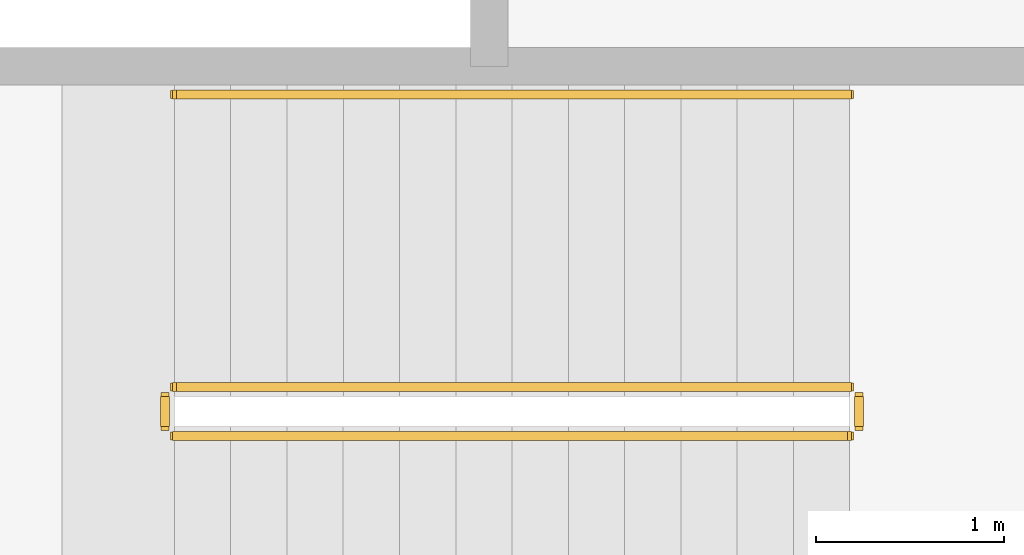
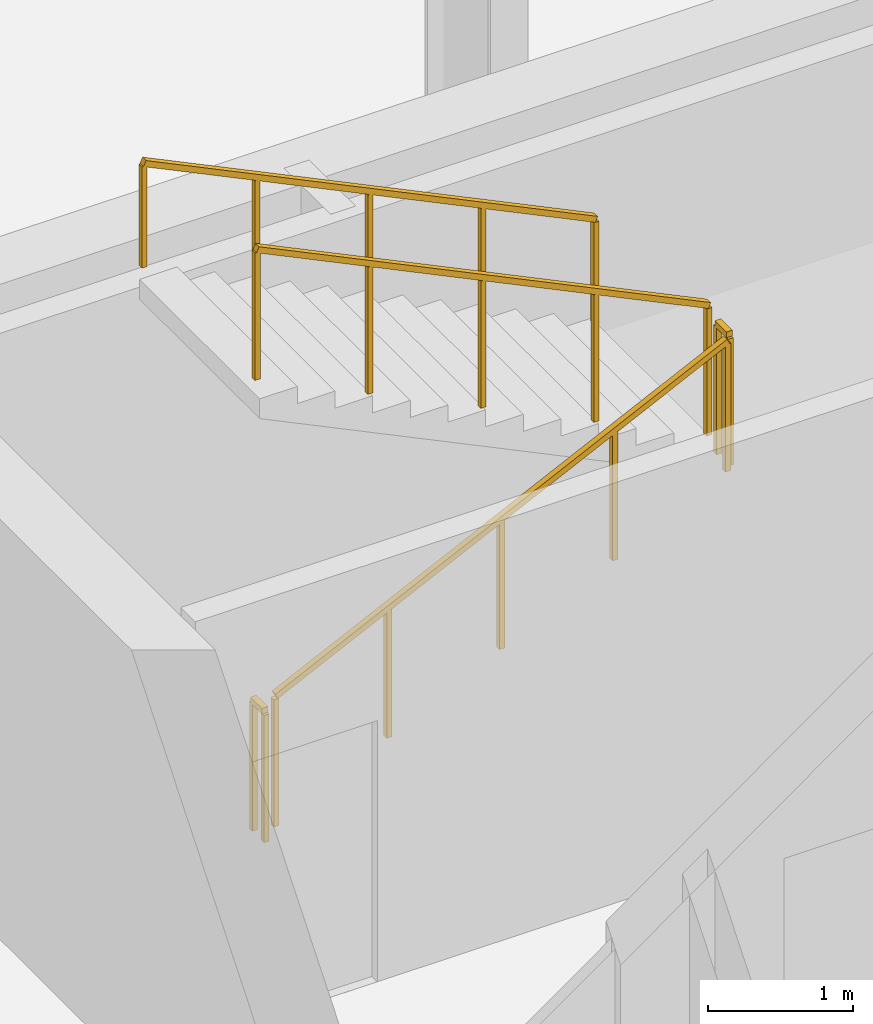
# One storey, part 24 of 25: 5 railings.
"""IFC4 building model written with IfcOpenShell, lengths in metres."""

from ifc_helpers import new_model, si_unit, direction, frame, origin, origin_2d, place, context, subcontext, project, spatial, rectangle, extrude, material, type_object, element, save


model = new_model("IFC4")

# Units and contexts
model_context = context("Model", 3, precision=1e-05, world=origin(), true_north=direction((0.0, 1.0)))
body_context = subcontext(model_context, "Body", "Model", "MODEL_VIEW")
ifc_project = project(units=[si_unit("LENGTHUNIT", "METRE"), si_unit("AREAUNIT", "SQUARE_METRE"), si_unit("VOLUMEUNIT", "CUBIC_METRE"), si_unit("PLANEANGLEUNIT", "RADIAN"), si_unit("MASSUNIT", "GRAM", prefix="KILO"), si_unit("THERMODYNAMICTEMPERATUREUNIT", "KELVIN"), si_unit("POWERUNIT", "WATT")], contexts=[model_context])

# Site, building, storey
site_placement = place(None, origin())
site = spatial("IfcSite", under=ifc_project, at=site_placement, CompositionType="ELEMENT")
building_placement = place(site_placement, origin())
building = spatial("IfcBuilding", under=site, at=building_placement, Name="Svarakhadi Broadcast Tower", CompositionType="ELEMENT")
storey_placement = place(building_placement, frame((0.0, 0.0, 216.14990234375)))
storey = spatial("IfcBuildingStorey", under=building, at=storey_placement, Name="L53", CompositionType="ELEMENT", Elevation=216.14990234375)

# Railings
ifc_material = material(Name="Anodised Bronze Aluminium AA 6063-T6", Category="aluminium")
railing_type_1 = type_object("IfcRailingType", Name="Guard_Stair_GR01", PredefinedType="GUARDRAIL", material=ifc_material)
railing_1_placement = place(storey_placement, frame((7.97998046875, 24.969970703125, 0.144287109375)))
element("IfcRailing", 1, at=railing_1_placement, inside=storey, type_object=railing_type_1, Name="L53 ST-01 stair guard 1", PredefinedType="GUARDRAIL", context=body_context, shape_type="SweptSolid", body=[
    extrude(rectangle(XDim=0.048095703125, YDim=0.048095703125, at=origin_2d()), frame((0.0, 0.0, 1.09619140625), z_axis=(0.901262522062, 0.0, 0.433273431364), x_axis=(0.0, 1.0, 0.0)), (0.0, 0.0, 1.0), 3.994384765625),
    extrude(rectangle(XDim=0.0419921875, YDim=0.0419921875, at=origin_2d()), origin(), (0.0, 0.0, 1.0), 1.072021484375),
    extrude(rectangle(XDim=0.0419921875, YDim=0.0419921875, at=origin_2d()), frame((0.89990234375, 0.0, 0.4326171875)), (0.0, 0.0, 1.0), 1.072021484375),
    extrude(rectangle(XDim=0.0419921875, YDim=0.0419921875, at=origin_2d()), frame((1.800048828125, 0.0, 0.865234375)), (0.0, 0.0, 1.0), 1.072021484375),
    extrude(rectangle(XDim=0.0419921875, YDim=0.0419921875, at=origin_2d()), frame((2.7001953125, 0.0, 1.298095703125)), (0.0, 0.0, 1.0), 1.072021484375),
    extrude(rectangle(XDim=0.0419921875, YDim=0.0419921875, at=origin_2d()), frame((3.60009765625, 0.0, 1.730712890625)), (0.0, 0.0, 1.0), 1.072021484375),
])
railing_2_placement = place(storey_placement, frame((11.6298828125, 25.02001953125, 1.875)))
element("IfcRailing", 2, at=railing_2_placement, inside=storey, type_object=railing_type_1, Name="L53 ST-01 stair guard 2", PredefinedType="GUARDRAIL", context=body_context, shape_type="SweptSolid", body=[
    extrude(rectangle(XDim=0.048095703125, YDim=0.048095703125, at=origin_2d()), frame((0.0, 0.0, 1.09619140625), z_axis=(0.0, 1.0, 0.0), x_axis=(-1.0, 0.0, 0.0)), (0.0, 0.0, 1.0), 0.159912109375),
    extrude(rectangle(XDim=0.0419921875, YDim=0.0419921875, at=origin_2d()), origin(), (0.0, 0.0, 1.0), 1.072021484375),
    extrude(rectangle(XDim=0.0419921875, YDim=0.0419921875, at=origin_2d()), frame((0.0, 0.159912109375, 0.0)), (0.0, 0.0, 1.0), 1.072021484375),
])
railing_3_placement = place(storey_placement, frame((11.580078125, 25.22998046875, 2.019287109375)))
element("IfcRailing", 3, at=railing_3_placement, inside=storey, type_object=railing_type_1, Name="L53 ST-01 stair guard 3", PredefinedType="GUARDRAIL", context=body_context, shape_type="SweptSolid", body=[
    extrude(rectangle(XDim=0.048095703125, YDim=0.048095703125, at=origin_2d()), frame((0.0, 0.0, 1.09619140625), z_axis=(-0.901262522062, 0.0, 0.433273431364), x_axis=(0.0, -1.0, 0.0)), (0.0, 0.0, 1.0), 3.994384765625),
    extrude(rectangle(XDim=0.0419921875, YDim=0.0419921875, at=origin_2d()), origin(), (0.0, 0.0, 1.0), 1.072021484375),
    extrude(rectangle(XDim=0.0419921875, YDim=0.0419921875, at=origin_2d()), frame((-0.89990234375, 0.0, 0.4326171875)), (0.0, 0.0, 1.0), 1.072021484375),
    extrude(rectangle(XDim=0.0419921875, YDim=0.0419921875, at=origin_2d()), frame((-1.800048828125, 0.0, 0.865234375)), (0.0, 0.0, 1.0), 1.072021484375),
    extrude(rectangle(XDim=0.0419921875, YDim=0.0419921875, at=origin_2d()), frame((-2.7001953125, 0.0, 1.298095703125)), (0.0, 0.0, 1.0), 1.072021484375),
    extrude(rectangle(XDim=0.0419921875, YDim=0.0419921875, at=origin_2d()), frame((-3.60009765625, 0.0, 1.730712890625)), (0.0, 0.0, 1.0), 1.072021484375),
])
railing_4_placement = place(storey_placement, frame((7.929931640625, 25.02001953125, 0.0)))
element("IfcRailing", 4, at=railing_4_placement, inside=storey, type_object=railing_type_1, Name="L53 ST-01 stair guard 4", PredefinedType="GUARDRAIL", context=body_context, shape_type="SweptSolid", body=[
    extrude(rectangle(XDim=0.048095703125, YDim=0.048095703125, at=origin_2d()), frame((0.0, 0.0, 1.09619140625), z_axis=(0.0, 1.0, 0.0), x_axis=(-1.0, 0.0, 0.0)), (0.0, 0.0, 1.0), 0.159912109375),
    extrude(rectangle(XDim=0.0419921875, YDim=0.0419921875, at=origin_2d()), origin(), (0.0, 0.0, 1.0), 1.072021484375),
    extrude(rectangle(XDim=0.0419921875, YDim=0.0419921875, at=origin_2d()), frame((0.0, 0.159912109375, 0.0)), (0.0, 0.0, 1.0), 1.072021484375),
])
railing_type_2 = type_object("IfcRailingType", Name="Handrail_Stair_HR01", PredefinedType="HANDRAIL", material=ifc_material)
railing_5_placement = place(storey_placement, frame((11.580078125, 26.7900390625, 2.019287109375)))
element("IfcRailing", 5, at=railing_5_placement, inside=storey, type_object=railing_type_2, Name="L53 ST-01 stair handrail 2", PredefinedType="HANDRAIL", context=body_context, shape_type="SweptSolid", body=[
    extrude(rectangle(XDim=0.048095703125, YDim=0.048095703125, at=origin_2d()), frame((0.0, 0.0, 0.8759765625), z_axis=(-0.901262522062, 0.0, 0.433273431364), x_axis=(0.0, -1.0, 0.0)), (0.0, 0.0, 1.0), 3.994384765625),
    extrude(rectangle(XDim=0.0419921875, YDim=0.0419921875, at=origin_2d()), origin(), (0.0, 0.0, 1.0), 0.851806640625),
    extrude(rectangle(XDim=0.0419921875, YDim=0.0419921875, at=origin_2d()), frame((-0.89990234375, 0.0, 0.4326171875)), (0.0, 0.0, 1.0), 0.851806640625),
    extrude(rectangle(XDim=0.0419921875, YDim=0.0419921875, at=origin_2d()), frame((-1.800048828125, 0.0, 0.865234375)), (0.0, 0.0, 1.0), 0.851806640625),
    extrude(rectangle(XDim=0.0419921875, YDim=0.0419921875, at=origin_2d()), frame((-2.7001953125, 0.0, 1.298095703125)), (0.0, 0.0, 1.0), 0.851806640625),
    extrude(rectangle(XDim=0.0419921875, YDim=0.0419921875, at=origin_2d()), frame((-3.60009765625, 0.0, 1.730712890625)), (0.0, 0.0, 1.0), 0.851806640625),
])

save(model, "model.ifc")
